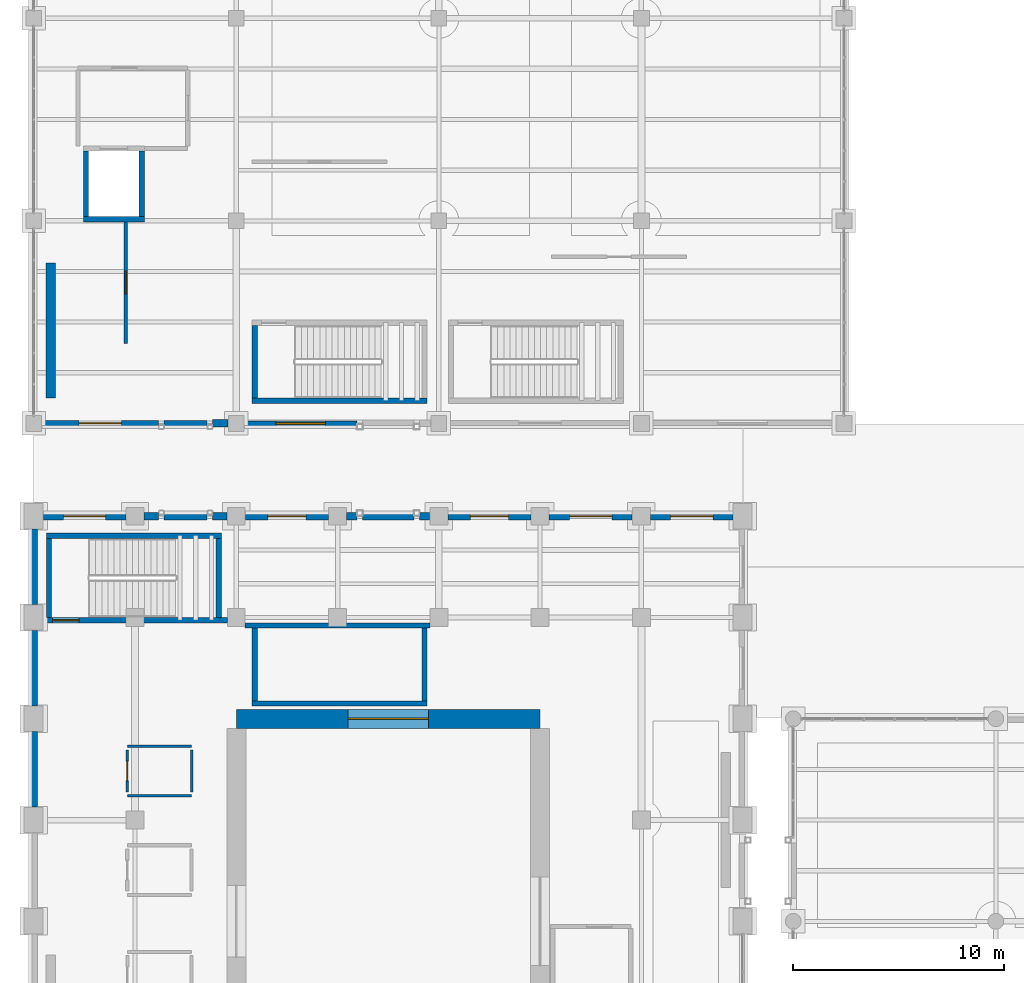
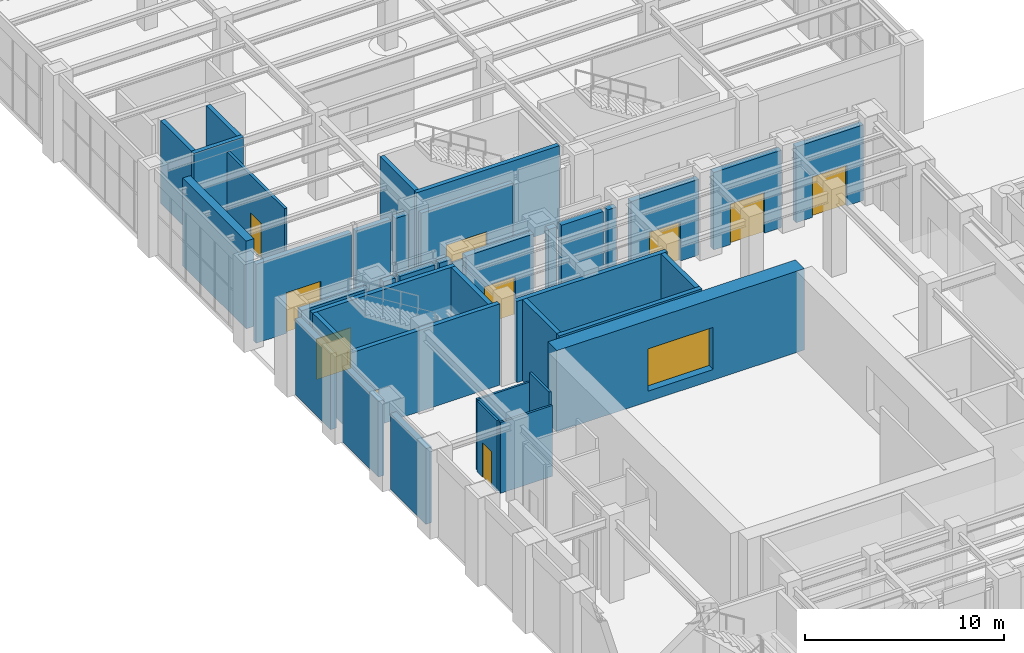
# One storey, part 133 of 164: 38 walls, 9 doors, 2 windows, 11 openings.
"""IFC4 building model written with IfcOpenShell, lengths in metres."""

from ifc_helpers import new_model, si_unit, direction, frame, frame_2d, origin, place, context, subcontext, project, spatial, rectangle, extrude, material, layer, layer_set, type_object, element, fill, save


model = new_model("IFC4")

# Units and contexts
model_context = context("Model", 3, precision=1e-05, world=origin(), true_north=direction((0.0, 1.0)))
body_context = subcontext(model_context, "Body", "Model", "MODEL_VIEW")
ifc_project = project(units=[si_unit("LENGTHUNIT", "METRE"), si_unit("AREAUNIT", "SQUARE_METRE"), si_unit("VOLUMEUNIT", "CUBIC_METRE"), si_unit("PLANEANGLEUNIT", "RADIAN"), si_unit("MASSUNIT", "GRAM", prefix="KILO")], contexts=[model_context])

# Site, building, storey
site_placement = place(None, origin())
site = spatial("IfcSite", under=ifc_project, at=site_placement, CompositionType="ELEMENT")
building_placement = place(site_placement, origin())
building = spatial("IfcBuilding", under=site, at=building_placement, Name="Mavantir Sound Aquarium", CompositionType="ELEMENT")
storey_placement = place(building_placement, origin())
storey = spatial("IfcBuildingStorey", under=building, at=storey_placement, Name="L00", CompositionType="ELEMENT", Elevation=0.0)

# Wall, opening, door
ifc_material_1 = material(Name="Coral-Buff Architectural Precast Concrete C40/50", Category="concrete")
ifc_layer_1 = layer(ifc_material_1, 0.340087890625, Name="Coral-Buff Architectural Precast Concrete C40/50")
ifc_layer_set_1 = layer_set([ifc_layer_1], Name="Coral-Buff Architectural Precast Concrete C40/50")
wall_type_1 = type_object("IfcWallType", Name="EW-CORAL-340", PredefinedType="SOLIDWALL", material=ifc_layer_set_1)
wall_1_placement = place(storey_placement, frame((33.14208984375, 79.199951171875, 0.0), z_axis=(0.0, 0.0, 1.0), x_axis=(-1.0, 0.0, 0.0)))
wall_1 = element("IfcWall", 1, at=wall_1_placement, inside=storey, type_object=wall_type_1, Name="L00 exterior facade wall EW-01 35", PredefinedType="SOLIDWALL", context=body_context, shape_type="SweptSolid", body=[
    extrude(rectangle(XDim=3.9091796875, YDim=0.340087890625, at=frame_2d((1.95458984375, 0.0))), origin(), (0.0, 0.0, 1.0), 4.657958984375),
])
opening_1_placement = place(wall_1_placement, frame((2.95458984375, 0.0, 0.0), z_axis=(0.0, 0.0, 1.0), x_axis=(-1.0, 0.0, 0.0)))
opening_1 = element("IfcOpeningElement", 2, at=opening_1_placement, cuts=wall_1, Name="Opening EXD-01", PredefinedType="OPENING", context=body_context, shape_type="SweptSolid", body=[
    extrude(rectangle(XDim=2.0, YDim=2.5, at=frame_2d((1.0, 1.25))), frame((0.0, 0.18017578125, 0.0), z_axis=(0.0, -1.0, 0.0), x_axis=(1.0, 0.0, 0.0)), (0.0, 0.0, 1.0), 0.360107421875),
])
ifc_material_2 = material(Name="Marine-Grade Anodised Aluminium and Laminated Glass", Category="aluminium")
door_type_1 = type_object("IfcDoorType", Name="DR-EX-200", OperationType="NOTDEFINED", PredefinedType="DOOR", material=ifc_material_2)
door_1_placement = place(opening_1_placement, origin())
door_1 = element("IfcDoor", 3, at=door_1_placement, inside=storey, type_object=door_type_1, Name="Final exit door EX-13 (V1)", OperationType="DOUBLE_DOOR_SINGLE_SWING", OverallHeight=2.5, OverallWidth=2.0, PredefinedType="DOOR", context=body_context, shape_type="SweptSolid", body=[
    extrude(rectangle(XDim=2.0, YDim=2.5, at=frame_2d((1.0, 1.25))), frame((0.0, 0.02490234375, 0.0), z_axis=(0.0, -1.0, 0.0), x_axis=(1.0, 0.0, 0.0)), (0.0, 0.0, 1.0), 0.050048828125),
])
fill(opening_1, door_1)

wall_2_placement = place(storey_placement, frame((28.366943359375, 79.199951171875, 0.0), z_axis=(0.0, 0.0, 1.0), x_axis=(-1.0, 0.0, 0.0)))
wall_2 = element("IfcWall", 4, at=wall_2_placement, inside=storey, type_object=wall_type_1, Name="L00 exterior facade wall EW-01 36", PredefinedType="SOLIDWALL", context=body_context, shape_type="SweptSolid", body=[
    extrude(rectangle(XDim=3.933837890625, YDim=0.340087890625, at=frame_2d((1.966796875, 0.0))), origin(), (0.0, 0.0, 1.0), 4.762939453125),
])
opening_2_placement = place(wall_2_placement, frame((2.967041015625, 0.0, 0.0), z_axis=(0.0, 0.0, 1.0), x_axis=(-1.0, 0.0, 0.0)))
opening_2 = element("IfcOpeningElement", 5, at=opening_2_placement, cuts=wall_2, Name="Opening EXD-01", PredefinedType="OPENING", context=body_context, shape_type="SweptSolid", body=[
    extrude(rectangle(XDim=2.0, YDim=2.5, at=frame_2d((1.0, 1.25))), frame((0.0, 0.18017578125, 0.0), z_axis=(0.0, -1.0, 0.0), x_axis=(1.0, 0.0, 0.0)), (0.0, 0.0, 1.0), 0.360107421875),
])
door_2_placement = place(opening_2_placement, origin())
door_2 = element("IfcDoor", 6, at=door_2_placement, inside=storey, type_object=door_type_1, Name="Final exit door EX-14 (V1)", OperationType="DOUBLE_DOOR_SINGLE_SWING", OverallHeight=2.5, OverallWidth=2.0, PredefinedType="DOOR", context=body_context, shape_type="SweptSolid", body=[
    extrude(rectangle(XDim=2.0, YDim=2.5, at=frame_2d((1.0, 1.25))), frame((0.0, 0.02490234375, 0.0), z_axis=(0.0, -1.0, 0.0), x_axis=(1.0, 0.0, 0.0)), (0.0, 0.0, 1.0), 0.050048828125),
])
fill(opening_2, door_2)

wall_3_placement = place(storey_placement, frame((23.56689453125, 79.199951171875, 0.0), z_axis=(0.0, 0.0, 1.0), x_axis=(-1.0, 0.0, 0.0)))
wall_3 = element("IfcWall", 7, at=wall_3_placement, inside=storey, type_object=wall_type_1, Name="L00 exterior facade wall EW-01 37", PredefinedType="SOLIDWALL", context=body_context, shape_type="SweptSolid", body=[
    extrude(rectangle(XDim=3.933837890625, YDim=0.340087890625, at=frame_2d((1.966796875, 0.0))), origin(), (0.0, 0.0, 1.0), 4.657958984375),
])
opening_3_placement = place(wall_3_placement, frame((2.866943359375, 0.0, 0.0), z_axis=(0.0, 0.0, 1.0), x_axis=(-1.0, 0.0, 0.0)))
opening_3 = element("IfcOpeningElement", 8, at=opening_3_placement, cuts=wall_3, Name="Opening EXD-02", PredefinedType="OPENING", context=body_context, shape_type="SweptSolid", body=[
    extrude(rectangle(XDim=1.800048828125, YDim=2.39990234375, at=frame_2d((0.89990234375, 1.199951171875))), frame((0.0, 0.18017578125, 0.0), z_axis=(0.0, -1.0, 0.0), x_axis=(1.0, 0.0, 0.0)), (0.0, 0.0, 1.0), 0.360107421875),
])
door_type_2 = type_object("IfcDoorType", Name="DR-EX-180", OperationType="NOTDEFINED", PredefinedType="DOOR", material=ifc_material_2)
door_3_placement = place(opening_3_placement, origin())
door_3 = element("IfcDoor", 9, at=door_3_placement, inside=storey, type_object=door_type_2, Name="Final exit door EX-15 (V1)", OperationType="DOUBLE_DOOR_SINGLE_SWING", OverallHeight=2.39990234375, OverallWidth=1.800048828125, PredefinedType="DOOR", context=body_context, shape_type="SweptSolid", body=[
    extrude(rectangle(XDim=1.800048828125, YDim=2.39990234375, at=frame_2d((0.89990234375, 1.199951171875))), frame((0.0, 0.02490234375, 0.0), z_axis=(0.0, -1.0, 0.0), x_axis=(1.0, 0.0, 0.0)), (0.0, 0.0, 1.0), 0.050048828125),
])
fill(opening_3, door_3)

# Walls
wall_4_placement = place(storey_placement, frame((18.76708984375, 79.199951171875, 0.0), z_axis=(0.0, 0.0, 1.0), x_axis=(-1.0, 0.0, 0.0)))
element("IfcWall", 10, at=wall_4_placement, inside=storey, type_object=wall_type_1, Name="L00 exterior facade wall EW-01 38", PredefinedType="SOLIDWALL", context=body_context, shape_type="SweptSolid", body=[
    extrude(rectangle(XDim=0.484130859375, YDim=0.340087890625, at=frame_2d((0.2421875, 0.0))), origin(), (0.0, 0.0, 1.0), 4.62109375),
])
wall_5_placement = place(storey_placement, frame((18.01708984375, 79.199951171875, 0.0), z_axis=(0.0, 0.0, 1.0), x_axis=(-1.0, 0.0, 0.0)))
element("IfcWall", 11, at=wall_5_placement, inside=storey, type_object=wall_type_1, Name="L00 exterior facade wall EW-01 39", PredefinedType="SOLIDWALL", context=body_context, shape_type="SweptSolid", body=[
    extrude(rectangle(XDim=2.43408203125, YDim=0.340087890625, at=frame_2d((1.217041015625, 0.0))), origin(), (0.0, 0.0, 1.0), 4.62109375),
])
wall_6_placement = place(storey_placement, frame((15.31689453125, 79.199951171875, 0.0), z_axis=(0.0, 0.0, 1.0), x_axis=(-1.0, 0.0, 0.0)))
element("IfcWall", 12, at=wall_6_placement, inside=storey, type_object=wall_type_1, Name="L00 exterior facade wall EW-01 40", PredefinedType="SOLIDWALL", context=body_context, shape_type="SweptSolid", body=[
    extrude(rectangle(XDim=0.48388671875, YDim=0.340087890625, at=frame_2d((0.241943359375, 0.0))), origin(), (0.0, 0.0, 1.0), 4.62109375),
])

# Wall, opening, door
wall_7_placement = place(storey_placement, frame((13.967041015625, 79.199951171875, 0.0), z_axis=(0.0, 0.0, 1.0), x_axis=(-1.0, 0.0, 0.0)))
wall_7 = element("IfcWall", 13, at=wall_7_placement, inside=storey, type_object=wall_type_1, Name="L00 exterior facade wall EW-01 41", PredefinedType="SOLIDWALL", context=body_context, shape_type="SweptSolid", body=[
    extrude(rectangle(XDim=3.93408203125, YDim=0.340087890625, at=frame_2d((1.967041015625, 0.0))), origin(), (0.0, 0.0, 1.0), 4.657958984375),
])
opening_4_placement = place(wall_7_placement, frame((2.866943359375, 0.0, 0.0), z_axis=(0.0, 0.0, 1.0), x_axis=(-1.0, 0.0, 0.0)))
opening_4 = element("IfcOpeningElement", 14, at=opening_4_placement, cuts=wall_7, Name="Opening EXD-02", PredefinedType="OPENING", context=body_context, shape_type="SweptSolid", body=[
    extrude(rectangle(XDim=1.800048828125, YDim=2.39990234375, at=frame_2d((0.89990234375, 1.199951171875))), frame((0.0, 0.18017578125, 0.0), z_axis=(0.0, -1.0, 0.0), x_axis=(1.0, 0.0, 0.0)), (0.0, 0.0, 1.0), 0.360107421875),
])
door_4_placement = place(opening_4_placement, origin())
door_4 = element("IfcDoor", 15, at=door_4_placement, inside=storey, type_object=door_type_2, Name="Final exit door EX-16 (V1)", OperationType="DOUBLE_DOOR_SINGLE_SWING", OverallHeight=2.39990234375, OverallWidth=1.800048828125, PredefinedType="DOOR", context=body_context, shape_type="SweptSolid", body=[
    extrude(rectangle(XDim=1.800048828125, YDim=2.39990234375, at=frame_2d((0.89990234375, 1.199951171875))), frame((0.0, 0.02490234375, 0.0), z_axis=(0.0, -1.0, 0.0), x_axis=(1.0, 0.0, 0.0)), (0.0, 0.0, 1.0), 0.050048828125),
])
fill(opening_4, door_4)

# Walls
wall_8_placement = place(storey_placement, frame((9.1669921875, 79.199951171875, 0.0), z_axis=(0.0, 0.0, 1.0), x_axis=(-1.0, 0.0, 0.0)))
element("IfcWall", 16, at=wall_8_placement, inside=storey, type_object=wall_type_1, Name="L00 exterior facade wall EW-01 42", PredefinedType="SOLIDWALL", context=body_context, shape_type="SweptSolid", body=[
    extrude(rectangle(XDim=0.68408203125, YDim=0.340087890625, at=frame_2d((0.342041015625, 0.0))), origin(), (0.0, 0.0, 1.0), 4.762939453125),
])
wall_9_placement = place(storey_placement, frame((8.217041015625, 79.199951171875, 0.0), z_axis=(0.0, 0.0, 1.0), x_axis=(-1.0, 0.0, 0.0)))
element("IfcWall", 17, at=wall_9_placement, inside=storey, type_object=wall_type_1, Name="L00 exterior facade wall EW-01 43", PredefinedType="SOLIDWALL", context=body_context, shape_type="SweptSolid", body=[
    extrude(rectangle(XDim=2.033935546875, YDim=0.340087890625, at=frame_2d((1.01708984375, 0.0))), origin(), (0.0, 0.0, 1.0), 4.762939453125),
])
wall_10_placement = place(storey_placement, frame((5.9169921875, 79.199951171875, 0.0), z_axis=(0.0, 0.0, 1.0), x_axis=(-1.0, 0.0, 0.0)))
element("IfcWall", 18, at=wall_10_placement, inside=storey, type_object=wall_type_1, Name="L00 exterior facade wall EW-01 44", PredefinedType="SOLIDWALL", context=body_context, shape_type="SweptSolid", body=[
    extrude(rectangle(XDim=0.68408203125, YDim=0.340087890625, at=frame_2d((0.342041015625, 0.0))), origin(), (0.0, 0.0, 1.0), 4.762939453125),
])

# Wall, opening, door
wall_11_placement = place(storey_placement, frame((4.366943359375, 79.199951171875, 0.0), z_axis=(0.0, 0.0, 1.0), x_axis=(-1.0, 0.0, 0.0)))
wall_11 = element("IfcWall", 19, at=wall_11_placement, inside=storey, type_object=wall_type_1, Name="L00 exterior facade wall EW-01 45", PredefinedType="SOLIDWALL", context=body_context, shape_type="SweptSolid", body=[
    extrude(rectangle(XDim=3.908935546875, YDim=0.340087890625, at=frame_2d((1.95458984375, 0.0))), origin(), (0.0, 0.0, 1.0), 4.657958984375),
])
opening_5_placement = place(wall_11_placement, frame((2.95458984375, 0.0, 0.0), z_axis=(0.0, 0.0, 1.0), x_axis=(-1.0, 0.0, 0.0)))
opening_5 = element("IfcOpeningElement", 20, at=opening_5_placement, cuts=wall_11, Name="Opening EXD-01", PredefinedType="OPENING", context=body_context, shape_type="SweptSolid", body=[
    extrude(rectangle(XDim=2.0, YDim=2.5, at=frame_2d((1.0, 1.25))), frame((0.0, 0.18017578125, 0.0), z_axis=(0.0, -1.0, 0.0), x_axis=(1.0, 0.0, 0.0)), (0.0, 0.0, 1.0), 0.360107421875),
])
door_5_placement = place(opening_5_placement, origin())
door_5 = element("IfcDoor", 21, at=door_5_placement, inside=storey, type_object=door_type_1, Name="Final exit door EX-02 (V1 ST2 discharge)", OperationType="DOUBLE_DOOR_SINGLE_SWING", OverallHeight=2.5, OverallWidth=2.0, PredefinedType="DOOR", context=body_context, shape_type="SweptSolid", body=[
    extrude(rectangle(XDim=2.0, YDim=2.5, at=frame_2d((1.0, 1.25))), frame((0.0, 0.02490234375, 0.0), z_axis=(0.0, -1.0, 0.0), x_axis=(1.0, 0.0, 0.0)), (0.0, 0.0, 1.0), 0.050048828125),
])
fill(opening_5, door_5)

# Walls
for number, where, z_axis, x_axis, name in (
    (22, (0.0, 78.592041015625, 0.0), (0.0, 0.0, 1.0), (0.0, -1.0, 0.0), "L00 exterior facade wall EW-01 46"),
    (23, (0.0, 73.7919921875, 0.0), (0.0, 0.0, 1.0), (0.0, -1.0, 0.0), "L00 exterior facade wall EW-01 47"),
    (24, (0.0, 68.991943359375, 0.0), (0.0, 0.0, 1.0), (0.0, -1.0, 0.0), "L00 exterior facade wall EW-01 48"),
):
    element("IfcWall", number, at=place(storey_placement, frame(where, z_axis=z_axis, x_axis=x_axis)), inside=storey, type_object=wall_type_1, Name=name, PredefinedType="SOLIDWALL", context=body_context, shape_type="SweptSolid", body=[
        extrude(rectangle(XDim=3.583984375, YDim=0.340087890625, at=frame_2d((1.7919921875, 0.0))), origin(), (0.0, 0.0, 1.0), 4.657958984375),
    ])

# Wall, opening, window
ifc_material_3 = material(Name="Architectural Precast Concrete C40/50", Category="concrete")
ifc_layer_2 = layer(ifc_material_3, 0.239990234375, Name="Architectural Precast Concrete C40/50")
ifc_layer_set_2 = layer_set([ifc_layer_2], Name="Architectural Precast Concrete C40/50")
wall_type_2 = type_object("IfcWallType", Name="EW-PRE-240", PredefinedType="SOLIDWALL", material=ifc_layer_set_2)
wall_12_placement = place(storey_placement, frame((9.98291015625, 83.60009765625, 0.0), z_axis=(0.0, 0.0, 1.0), x_axis=(1.0, 0.0, 0.0)))
wall_12 = element("IfcWall", 25, at=wall_12_placement, inside=storey, type_object=wall_type_2, Name="L00 exterior facade wall EW-06 108", PredefinedType="SOLIDWALL", context=body_context, shape_type="SweptSolid", body=[
    extrude(rectangle(XDim=5.333984375, YDim=0.239990234375, at=frame_2d((2.6669921875, 0.0))), origin(), (0.0, 0.0, 1.0), 4.62109375),
])
opening_6_placement = place(wall_12_placement, frame((1.491943359375, 0.0, 0.949951171875)))
opening_6 = element("IfcOpeningElement", 26, at=opening_6_placement, cuts=wall_12, Name="Opening W-29", PredefinedType="OPENING", context=body_context, shape_type="SweptSolid", body=[
    extrude(rectangle(XDim=2.35009765625, YDim=1.199951171875, at=frame_2d((1.175048828125, 0.60009765625))), frame((0.0, 0.1298828125, 0.0), z_axis=(0.0, -1.0, 0.0), x_axis=(1.0, 0.0, 0.0)), (0.0, 0.0, 1.0), 0.260009765625),
])
ifc_material_4 = material(Name="Thermally Broken Aluminium and Low-E Glass", Category="aluminium")
window_type_1 = type_object("IfcWindowType", Name="WIN-EXT-29", PartitioningType="DOUBLE_PANEL_VERTICAL", PredefinedType="WINDOW", material=ifc_material_4)
window_1_placement = place(opening_6_placement, origin())
window_1 = element("IfcWindow", 27, at=window_1_placement, inside=storey, type_object=window_type_1, Name="L00 facade window W-29 29", OverallHeight=1.199951171875, OverallWidth=2.35009765625, PartitioningType="SINGLE_PANEL", PredefinedType="WINDOW", context=body_context, shape_type="SweptSolid", body=[
    extrude(rectangle(XDim=2.35009765625, YDim=1.199951171875, at=frame_2d((1.175048828125, 0.60009765625))), frame((0.0, 0.030029296875, 0.0), z_axis=(0.0, -1.0, 0.0), x_axis=(1.0, 0.0, 0.0)), (0.0, 0.0, 1.0), 0.06005859375),
])
fill(opening_6, window_1)

# Walls
ifc_layer_3 = layer(ifc_material_1, 0.360107421875, Name="Coral-Buff Architectural Precast Concrete C40/50")
ifc_layer_set_3 = layer_set([ifc_layer_3], Name="Coral-Buff Architectural Precast Concrete C40/50")
wall_type_3 = type_object("IfcWallType", Name="EW-PRE-360", PredefinedType="SOLIDWALL", material=ifc_layer_set_3)
wall_13_placement = place(storey_placement, frame((8.48291015625, 83.60009765625, 0.0), z_axis=(0.0, 0.0, 1.0), x_axis=(1.0, 0.0, 0.0)))
element("IfcWall", 28, at=wall_13_placement, inside=storey, type_object=wall_type_3, Name="L00 exterior facade wall EW-05 107", PredefinedType="SOLIDWALL", context=body_context, shape_type="SweptSolid", body=[
    extrude(rectangle(XDim=0.734130859375, YDim=0.360107421875, at=frame_2d((0.3671875, 0.0))), origin(), (0.0, 0.0, 1.0), 4.863037109375),
])
ifc_material_5 = material(Name="Cerulean Glazed Terracotta Rainscreen on Concrete C40/50", Category="masonry")
ifc_layer_4 = layer(ifc_material_5, 0.27001953125, Name="Cerulean Glazed Terracotta Rainscreen on Concrete C40/50")
ifc_layer_set_4 = layer_set([ifc_layer_4], Name="Cerulean Glazed Terracotta Rainscreen on Concrete C40/50")
wall_type_4 = type_object("IfcWallType", Name="EW-TERRA-270", PredefinedType="SOLIDWALL", material=ifc_layer_set_4)
wall_14_placement = place(storey_placement, frame((6.18310546875, 83.60009765625, 0.0), z_axis=(0.0, 0.0, 1.0), x_axis=(1.0, 0.0, 0.0)))
element("IfcWall", 29, at=wall_14_placement, inside=storey, type_object=wall_type_4, Name="L00 exterior facade wall EW-04 106", PredefinedType="SOLIDWALL", context=body_context, shape_type="SweptSolid", body=[
    extrude(rectangle(XDim=2.033935546875, YDim=0.27001953125, at=frame_2d((1.01708984375, 0.0))), origin(), (0.0, 0.0, 1.0), 4.863037109375),
])

# Wall, opening, door
ifc_material_6 = material(Name="Turquoise Glazed Terracotta Rainscreen on Concrete C40/50", Category="masonry")
ifc_layer_5 = layer(ifc_material_6, 0.2900390625, Name="Turquoise Glazed Terracotta Rainscreen on Concrete C40/50")
ifc_layer_set_5 = layer_set([ifc_layer_5], Name="Turquoise Glazed Terracotta Rainscreen on Concrete C40/50")
wall_type_5 = type_object("IfcWallType", Name="EW-TERRA-290", PredefinedType="SOLIDWALL", material=ifc_layer_set_5)
wall_15_placement = place(storey_placement, frame((0.383056640625, 83.60009765625, 0.0), z_axis=(0.0, 0.0, 1.0), x_axis=(1.0, 0.0, 0.0)))
wall_15 = element("IfcWall", 30, at=wall_15_placement, inside=storey, type_object=wall_type_5, Name="L00 exterior facade wall EW-03 105", PredefinedType="SOLIDWALL", context=body_context, shape_type="SweptSolid", body=[
    extrude(rectangle(XDim=5.533935546875, YDim=0.2900390625, at=frame_2d((2.76708984375, 0.0))), origin(), (0.0, 0.0, 1.0), 4.863037109375),
])
opening_7_placement = place(wall_15_placement, frame((3.76708984375, 0.0, 0.0), z_axis=(0.0, 0.0, 1.0), x_axis=(-1.0, 0.0, 0.0)))
opening_7 = element("IfcOpeningElement", 31, at=opening_7_placement, cuts=wall_15, Name="Opening EXD-01", PredefinedType="OPENING", context=body_context, shape_type="SweptSolid", body=[
    extrude(rectangle(XDim=2.0, YDim=2.5, at=frame_2d((1.0, 1.25))), frame((0.0, 0.155029296875, 0.0), z_axis=(0.0, -1.0, 0.0), x_axis=(1.0, 0.0, 0.0)), (0.0, 0.0, 1.0), 0.31005859375),
])
door_6_placement = place(opening_7_placement, origin())
door_6 = element("IfcDoor", 32, at=door_6_placement, inside=storey, type_object=door_type_1, Name="Final exit door EX-06 (V5 ST5 discharge)", OperationType="DOUBLE_DOOR_SINGLE_SWING", OverallHeight=2.5, OverallWidth=2.0, PredefinedType="DOOR", context=body_context, shape_type="SweptSolid", body=[
    extrude(rectangle(XDim=2.0, YDim=2.5, at=frame_2d((1.0, 1.25))), frame((0.0, 0.02490234375, 0.0), z_axis=(0.0, -1.0, 0.0), x_axis=(1.0, 0.0, 0.0)), (0.0, 0.0, 1.0), 0.050048828125),
])
fill(opening_7, door_6)

# Walls
ifc_material_7 = material(Name="Lightweight Partition Framing", Category="gypsum")
ifc_layer_6 = layer(ifc_material_7, 0.1201171875, Name="Lightweight Partition Framing")
ifc_layer_set_6 = layer_set([ifc_layer_6], Name="Lightweight Partition Framing")
wall_type_6 = type_object("IfcWallType", Name="IW-PART-120", PredefinedType="PARTITIONING", material=ifc_layer_set_6)
for number, where, z_axis, x_axis, name in (
    (33, (4.43994140625, 68.300048828125, 0.0), (0.0, 0.0, 1.0), (1.0, 0.0, 0.0), "L00 L00 Accessible WC partition N"),
    (34, (4.43994140625, 65.949951171875, 0.0), (0.0, 0.0, 1.0), (1.0, 0.0, 0.0), "L00 L00 Accessible WC partition S"),
):
    element("IfcWall", number, at=place(storey_placement, frame(where, z_axis=z_axis, x_axis=x_axis)), inside=storey, type_object=wall_type_6, Name=name, PredefinedType="PARTITIONING", context=body_context, shape_type="SweptSolid", body=[
        extrude(rectangle(XDim=3.0400390625, YDim=0.1201171875, at=frame_2d((1.52001953125, 0.0))), origin(), (0.0, 0.0, 1.0), 4.35498046875),
    ])

# Wall, opening, door
wall_16_placement = place(storey_placement, frame((4.43994140625, 66.1298828125, 0.0), z_axis=(0.0, 0.0, 1.0), x_axis=(0.0, 1.0, 0.0)))
wall_16 = element("IfcWall", 35, at=wall_16_placement, inside=storey, type_object=wall_type_6, Name="L00 L00 Accessible WC partition W", PredefinedType="PARTITIONING", context=body_context, shape_type="SweptSolid", body=[
    extrude(rectangle(XDim=1.990234375, YDim=0.1201171875, at=frame_2d((0.9951171875, 0.0))), origin(), (0.0, 0.0, 1.0), 4.35498046875),
])
opening_8_placement = place(wall_16_placement, frame((0.534912109375, 0.0, 0.0)))
opening_8 = element("IfcOpeningElement", 36, at=opening_8_placement, cuts=wall_16, Name="Opening ID-01", PredefinedType="OPENING", context=body_context, shape_type="SweptSolid", body=[
    extrude(rectangle(XDim=0.919921875, YDim=2.1201171875, at=frame_2d((0.4599609375, 1.06005859375))), frame((0.0, 0.070068359375, 0.0), z_axis=(0.0, -1.0, 0.0), x_axis=(1.0, 0.0, 0.0)), (0.0, 0.0, 1.0), 0.14013671875),
])
ifc_material_8 = material(Name="Solid-Core Marine Hardwood and Vision-Panel Door", Category="wood")
door_type_3 = type_object("IfcDoorType", Name="DR-INT-01", OperationType="NOTDEFINED", PredefinedType="DOOR", material=ifc_material_8)
door_7_placement = place(opening_8_placement, origin())
door_7 = element("IfcDoor", 37, at=door_7_placement, inside=storey, type_object=door_type_3, Name="L00 Accessible WC entrance door", OperationType="SINGLE_SWING_RIGHT", OverallHeight=2.1201171875, OverallWidth=0.919921875, PredefinedType="DOOR", context=body_context, shape_type="SweptSolid", body=[
    extrude(rectangle(XDim=0.919921875, YDim=2.1201171875, at=frame_2d((0.4599609375, 1.06005859375))), frame((0.0, 0.02490234375, 0.0), z_axis=(0.0, -1.0, 0.0), x_axis=(1.0, 0.0, 0.0)), (0.0, 0.0, 1.0), 0.050048828125),
])
fill(opening_8, door_7)

# Wall
wall_17_placement = place(storey_placement, frame((7.47998046875, 66.1298828125, 0.0), z_axis=(0.0, 0.0, 1.0), x_axis=(0.0, 1.0, 0.0)))
element("IfcWall", 38, at=wall_17_placement, inside=storey, type_object=wall_type_6, Name="L00 L00 Accessible WC partition E", PredefinedType="PARTITIONING", context=body_context, shape_type="SweptSolid", body=[
    extrude(rectangle(XDim=1.990234375, YDim=0.1201171875, at=frame_2d((0.9951171875, 0.0))), origin(), (0.0, 0.0, 1.0), 5.0400390625),
])

# Wall, opening, door
ifc_material_9 = material(Name="Acoustic Metal-Stud Gypsum Partition", Category="gypsum")
ifc_layer_7 = layer(ifc_material_9, 0.159912109375, Name="Acoustic Metal-Stud Gypsum Partition")
ifc_layer_set_7 = layer_set([ifc_layer_7], Name="Acoustic Metal-Stud Gypsum Partition")
wall_type_7 = type_object("IfcWallType", Name="IW-PART-160", PredefinedType="PARTITIONING", material=ifc_layer_set_7)
wall_18_placement = place(storey_placement, frame((4.3701171875, 87.3916015625, 0.0), z_axis=(0.0, 0.0, 1.0), x_axis=(0.0, 1.0, 0.0)))
wall_18 = element("IfcWall", 39, at=wall_18_placement, inside=storey, type_object=wall_type_7, Name="L00 Commercial Kitchen and Provisioning Store entry partition", PredefinedType="PARTITIONING", context=body_context, shape_type="SweptSolid", body=[
    extrude(rectangle(XDim=5.75830078125, YDim=0.159912109375, at=frame_2d((2.879150390625, 0.0))), origin(), (0.0, 0.0, 1.0), 4.52197265625),
])
opening_9_placement = place(wall_18_placement, frame((2.329345703125, 0.0, 0.0)))
opening_9 = element("IfcOpeningElement", 40, at=opening_9_placement, cuts=wall_18, Name="Opening ID-06", PredefinedType="OPENING", context=body_context, shape_type="SweptSolid", body=[
    extrude(rectangle(XDim=1.10009765625, YDim=2.199951171875, at=frame_2d((0.550048828125, 1.10009765625))), frame((0.0, 0.08984375, 0.0), z_axis=(0.0, -1.0, 0.0), x_axis=(1.0, 0.0, 0.0)), (0.0, 0.0, 1.0), 0.179931640625),
])
door_type_4 = type_object("IfcDoorType", Name="DR-INT-06", OperationType="NOTDEFINED", PredefinedType="DOOR", material=ifc_material_8)
door_8_placement = place(opening_9_placement, origin())
door_8 = element("IfcDoor", 41, at=door_8_placement, inside=storey, type_object=door_type_4, Name="Commercial Kitchen and Provisioning Store door", OperationType="SINGLE_SWING_RIGHT", OverallHeight=2.199951171875, OverallWidth=1.10009765625, PredefinedType="DOOR", context=body_context, shape_type="SweptSolid", body=[
    extrude(rectangle(XDim=1.10009765625, YDim=2.199951171875, at=frame_2d((0.550048828125, 1.10009765625))), frame((0.0, 0.02490234375, 0.0), z_axis=(0.0, -1.0, 0.0), x_axis=(1.0, 0.0, 0.0)), (0.0, 0.0, 1.0), 0.050048828125),
])
fill(opening_9, door_8)

ifc_material_10 = material(Name="Concrete C40/50", Category="concrete")
ifc_layer_8 = layer(ifc_material_10, 0.25, Name="Concrete C40/50")
ifc_layer_set_8 = layer_set([ifc_layer_8], Name="Concrete C40/50")
wall_type_8 = type_object("IfcWallType", Name="IW-SHAFT-250", PredefinedType="SHEAR", material=ifc_layer_set_8)
wall_19_placement = place(storey_placement, frame((0.449951171875, 74.27490234375, 0.0), z_axis=(0.0, 0.0, 1.0), x_axis=(1.0, 0.0, 0.0)))
wall_19 = element("IfcWall", 42, at=wall_19_placement, inside=storey, type_object=wall_type_8, Name="L00 stair ST2 shaft wall S", PredefinedType="SHEAR", context=body_context, shape_type="SweptSolid", body=[
    extrude(rectangle(XDim=8.72509765625, YDim=0.25, at=frame_2d((4.362548828125, 0.0))), origin(), (0.0, 0.0, 1.0), 5.0),
])
opening_10_placement = place(wall_19_placement, frame((1.699951171875, 0.0, 0.0), z_axis=(0.0, 0.0, 1.0), x_axis=(-1.0, 0.0, 0.0)))
opening_10 = element("IfcOpeningElement", 43, at=opening_10_placement, cuts=wall_19, Name="Opening SD-01", PredefinedType="OPENING", context=body_context, shape_type="SweptSolid", body=[
    extrude(rectangle(XDim=1.25, YDim=2.199951171875, at=frame_2d((0.625, 1.10009765625))), frame((0.0, 0.135009765625, 0.0), z_axis=(0.0, -1.0, 0.0), x_axis=(1.0, 0.0, 0.0)), (0.0, 0.0, 1.0), 0.27001953125),
])
ifc_material_11 = material(Name="Fire-Rated Steel Acoustic Door Leaf", Category="steel")
door_type_5 = type_object("IfcDoorType", Name="DR-ST-125", OperationType="NOTDEFINED", PredefinedType="DOOR", material=ifc_material_11)
door_9_placement = place(opening_10_placement, origin())
door_9 = element("IfcDoor", 44, at=door_9_placement, inside=storey, type_object=door_type_5, Name="L00 protected exit stair ST2 door", OperationType="SINGLE_SWING_LEFT", OverallHeight=2.199951171875, OverallWidth=1.25, PredefinedType="DOOR", context=body_context, shape_type="SweptSolid", body=[
    extrude(rectangle(XDim=1.25, YDim=2.199951171875, at=frame_2d((0.625, 1.10009765625))), frame((0.0, 0.02490234375, 0.0), z_axis=(0.0, -1.0, 0.0), x_axis=(1.0, 0.0, 0.0)), (0.0, 0.0, 1.0), 0.050048828125),
])
fill(opening_10, door_9)

# Walls
wall_20_placement = place(storey_placement, frame((8.89990234375, 78.27490234375, 0.0), z_axis=(0.0, 0.0, 1.0), x_axis=(-1.0, 0.0, 0.0)))
element("IfcWall", 45, at=wall_20_placement, inside=storey, type_object=wall_type_8, Name="L00 stair ST2 shaft wall N", PredefinedType="SHEAR", context=body_context, shape_type="SweptSolid", body=[
    extrude(rectangle(XDim=8.2998046875, YDim=0.25, at=frame_2d((4.14990234375, 0.0))), origin(), (0.0, 0.0, 1.0), 5.0),
])
for number, where, z_axis, x_axis, name in (
    (46, (0.72509765625, 78.14990234375, 0.0), (0.0, 0.0, 1.0), (0.0, -1.0, 0.0), "L00 stair ST2 shaft wall W"),
    (47, (8.77490234375, 74.39990234375, 0.0), (0.0, 0.0, 1.0), (0.0, 1.0, 0.0), "L00 stair ST2 shaft wall E"),
):
    element("IfcWall", number, at=place(storey_placement, frame(where, z_axis=z_axis, x_axis=x_axis)), inside=storey, type_object=wall_type_8, Name=name, PredefinedType="SHEAR", context=body_context, shape_type="SweptSolid", body=[
        extrude(rectangle(XDim=3.75, YDim=0.25, at=frame_2d((1.875, 0.0))), origin(), (0.0, 0.0, 1.0), 5.0),
    ])
wall_21_placement = place(storey_placement, frame((10.35009765625, 70.324951171875, 0.0), z_axis=(0.0, 0.0, 1.0), x_axis=(1.0, 0.0, 0.0)))
element("IfcWall", 48, at=wall_21_placement, inside=storey, type_object=wall_type_8, Name="L00 stair ST10 shaft wall S", PredefinedType="SHEAR", context=body_context, shape_type="SweptSolid", body=[
    extrude(rectangle(XDim=8.2998046875, YDim=0.25, at=frame_2d((4.14990234375, 0.0))), origin(), (0.0, 0.0, 1.0), 5.0),
])
wall_22_placement = place(storey_placement, frame((18.77490234375, 74.02490234375, 0.0), z_axis=(0.0, 0.0, 1.0), x_axis=(-1.0, 0.0, 0.0)))
element("IfcWall", 49, at=wall_22_placement, inside=storey, type_object=wall_type_8, Name="L00 stair ST10 shaft wall N", PredefinedType="SHEAR", context=body_context, shape_type="SweptSolid", body=[
    extrude(rectangle(XDim=8.75, YDim=0.25, at=frame_2d((4.375, 0.0))), origin(), (0.0, 0.0, 1.0), 5.0),
])
for number, where, z_axis, x_axis, name in (
    (50, (10.47509765625, 73.89990234375, 0.0), (0.0, 0.0, 1.0), (0.0, -1.0, 0.0), "L00 stair ST10 shaft wall W"),
    (51, (18.52490234375, 70.449951171875, 0.0), (0.0, 0.0, 1.0), (0.0, 1.0, 0.0), "L00 stair ST10 shaft wall E"),
):
    element("IfcWall", number, at=place(storey_placement, frame(where, z_axis=z_axis, x_axis=x_axis)), inside=storey, type_object=wall_type_8, Name=name, PredefinedType="SHEAR", context=body_context, shape_type="SweptSolid", body=[
        extrude(rectangle(XDim=3.449951171875, YDim=0.25, at=frame_2d((1.72509765625, 0.0))), origin(), (0.0, 0.0, 1.0), 5.0),
    ])
wall_23_placement = place(storey_placement, frame((10.35009765625, 84.675048828125, 0.0), z_axis=(0.0, 0.0, 1.0), x_axis=(1.0, 0.0, 0.0)))
element("IfcWall", 52, at=wall_23_placement, inside=storey, type_object=wall_type_8, Name="L00 stair ST5 shaft wall S", PredefinedType="SHEAR", context=body_context, shape_type="SweptSolid", body=[
    extrude(rectangle(XDim=8.2998046875, YDim=0.25, at=frame_2d((4.14990234375, 0.0))), origin(), (0.0, 0.0, 1.0), 5.10009765625),
])
wall_24_placement = place(storey_placement, frame((10.47509765625, 88.25, 0.0), z_axis=(0.0, 0.0, 1.0), x_axis=(0.0, -1.0, 0.0)))
element("IfcWall", 53, at=wall_24_placement, inside=storey, type_object=wall_type_8, Name="L00 stair ST5 shaft wall W", PredefinedType="SHEAR", context=body_context, shape_type="SweptSolid", body=[
    extrude(rectangle(XDim=3.449951171875, YDim=0.25, at=frame_2d((1.72509765625, 0.0))), origin(), (0.0, 0.0, 1.0), 5.10009765625),
])
wall_25_placement = place(storey_placement, frame((2.35009765625, 93.27490234375, 0.0), z_axis=(0.0, 0.0, 1.0), x_axis=(1.0, 0.0, 0.0)))
element("IfcWall", 54, at=wall_25_placement, inside=storey, type_object=wall_type_8, Name="L00 lift LC2 shaft wall S", PredefinedType="SHEAR", context=body_context, shape_type="SweptSolid", body=[
    extrude(rectangle(XDim=2.89990234375, YDim=0.25, at=frame_2d((1.449951171875, 0.0))), origin(), (0.0, 0.0, 1.0), 5.10009765625),
])
for number, where, z_axis, x_axis, name in (
    (55, (2.47509765625, 93.39990234375, 0.0), (0.0, 0.0, 1.0), (0.0, 1.0, 0.0), "L00 lift LC2 shaft wall W"),
    (56, (5.125, 93.39990234375, 0.0), (0.0, 0.0, 1.0), (0.0, 1.0, 0.0), "L00 lift LC2 shaft wall E"),
):
    element("IfcWall", number, at=place(storey_placement, frame(where, z_axis=z_axis, x_axis=x_axis)), inside=storey, type_object=wall_type_8, Name=name, PredefinedType="SHEAR", context=body_context, shape_type="SweptSolid", body=[
        extrude(rectangle(XDim=3.10009765625, YDim=0.25, at=frame_2d((1.550048828125, 0.0))), origin(), (0.0, 0.0, 1.0), 5.10009765625),
    ])
ifc_layer_9 = layer(ifc_material_10, 0.449951171875, Name="Concrete C40/50")
ifc_layer_set_9 = layer_set([ifc_layer_9], Name="Concrete C40/50")
wall_type_9 = type_object("IfcWallType", Name="SW-SHR-450", PredefinedType="SHEAR", material=ifc_layer_set_9)
wall_26_placement = place(storey_placement, frame((0.800048828125, 84.800048828125, 0.0), z_axis=(0.0, 0.0, 1.0), x_axis=(0.0, 1.0, 0.0)))
element("IfcWall", 57, at=wall_26_placement, inside=storey, type_object=wall_type_9, Name="L00 special RC shear wall 32 (V5)", PredefinedType="SHEAR", context=body_context, shape_type="SweptSolid", body=[
    extrude(rectangle(XDim=6.39990234375, YDim=0.449951171875, at=frame_2d((3.199951171875, 0.0))), origin(), (0.0, 0.0, 1.0), 5.39990234375),
])

# Wall, opening, window
ifc_material_12 = material(Name="Concrete C45/55", Category="concrete")
ifc_layer_10 = layer(ifc_material_12, 0.89990234375, Name="Concrete C45/55")
ifc_layer_set_10 = layer_set([ifc_layer_10], Name="Concrete C45/55")
wall_type_10 = type_object("IfcWallType", Name="SW-TANK-900", PredefinedType="SOLIDWALL", material=ifc_layer_set_10)
wall_27_placement = place(storey_placement, frame((24.0, 69.60009765625, 0.0), z_axis=(0.0, 0.0, 1.0), x_axis=(-1.0, 0.0, 0.0)))
wall_27 = element("IfcWall", 58, at=wall_27_placement, inside=storey, type_object=wall_type_10, Name="L00 Pelagic Ocean Tank wall N", PredefinedType="SOLIDWALL", context=body_context, shape_type="SweptSolid", body=[
    extrude(rectangle(XDim=14.39990234375, YDim=0.89990234375, at=frame_2d((7.199951171875, 0.0))), origin(), (0.0, 0.0, 1.0), 5.0),
])
opening_11_placement = place(wall_27_placement, frame((5.300048828125, 0.0, 0.64990234375)))
opening_11 = element("IfcOpeningElement", 59, at=opening_11_placement, cuts=wall_27, Name="Opening VW-03", PredefinedType="OPENING", context=body_context, shape_type="SweptSolid", body=[
    extrude(rectangle(XDim=3.800048828125, YDim=2.60009765625, at=frame_2d((1.89990234375, 1.300048828125))), frame((0.0, 0.4599609375, 0.0), z_axis=(0.0, -1.0, 0.0), x_axis=(1.0, 0.0, 0.0)), (0.0, 0.0, 1.0), 0.919921875),
])
ifc_material_13 = material(Name="Cast Acrylic PMMA Glazing", Category="glass")
window_type_2 = type_object("IfcWindowType", Name="WIN-VP-03", PartitioningType="SINGLE_PANEL", PredefinedType="WINDOW", material=ifc_material_13)
window_2_placement = place(opening_11_placement, origin())
window_2 = element("IfcWindow", 60, at=window_2_placement, inside=storey, type_object=window_type_2, Name="L00 Pelagic Ocean Tank cast-acrylic viewport 3", OverallHeight=2.60009765625, OverallWidth=3.800048828125, PartitioningType="SINGLE_PANEL", PredefinedType="WINDOW", context=body_context, shape_type="SweptSolid", body=[
    extrude(rectangle(XDim=3.800048828125, YDim=2.60009765625, at=frame_2d((1.89990234375, 1.300048828125))), frame((0.0, 0.030029296875, 0.0), z_axis=(0.0, -1.0, 0.0), x_axis=(1.0, 0.0, 0.0)), (0.0, 0.0, 1.0), 0.06005859375),
])
fill(opening_11, window_2)

save(model, "model.ifc")
